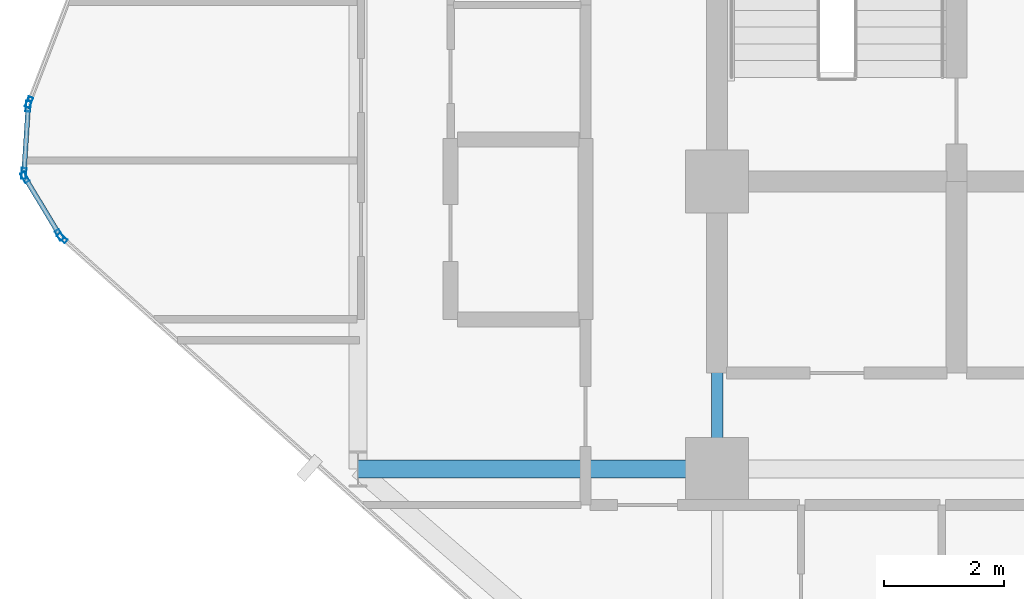
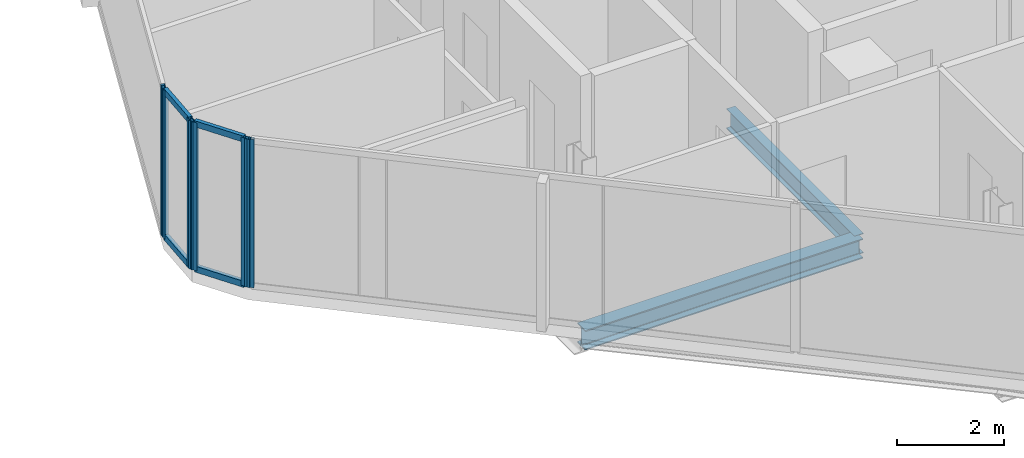
# One storey, part 6 of 29: 10 members, 2 beams, 4 elements without a shape of their own.
"""IFC4 building model written with IfcOpenShell, lengths in metres."""

from ifc_helpers import new_model, si_unit, direction, frame, origin, origin_2d, place, context, subcontext, project, spatial, hollow_rectangle, i_section, extrude, material, layer, layer_set, material_profile, profile_set, type_object, element, aggregate, save


model = new_model("IFC4")

# Units and contexts
model_context = context("Model", 3, precision=1e-05, world=origin(), true_north=direction((0.0, 1.0)))
body_context = subcontext(model_context, "Body", "Model", "MODEL_VIEW")
ifc_project = project(units=[si_unit("LENGTHUNIT", "METRE"), si_unit("AREAUNIT", "SQUARE_METRE"), si_unit("VOLUMEUNIT", "CUBIC_METRE"), si_unit("PLANEANGLEUNIT", "RADIAN"), si_unit("MASSUNIT", "GRAM", prefix="KILO")], contexts=[model_context])

# Site, building, storey
site_placement = place(None, origin())
site = spatial("IfcSite", under=ifc_project, at=site_placement, CompositionType="ELEMENT")
building_placement = place(site_placement, origin())
building = spatial("IfcBuilding", under=site, at=building_placement, Name="Keshet Zoharim Tower", CompositionType="ELEMENT")
storey_placement = place(building_placement, frame((0.0, 0.0, 94.60009765625)))
storey = spatial("IfcBuildingStorey", under=building, at=storey_placement, Name="L22", CompositionType="ELEMENT", Elevation=94.60009765625)

# Beams
ifc_material_1 = material(Name="Steel S355", Category="steel")
ifc_material_profile_1 = material_profile(ifc_material_1, i_section(OverallWidth=0.18994140625, OverallDepth=0.449951171875, WebThickness=0.009521484375, FlangeThickness=0.0146484375, FilletRadius=0.02099609375, at=origin_2d()), Name="IPE450")
ifc_profile_set_1 = profile_set([ifc_material_profile_1], Name="Steel S355")
beam_type_1 = type_object("IfcBeamType", Name="BM-PRI-IP450", PredefinedType="BEAM", material=ifc_profile_set_1)
beam_1_placement = place(storey_placement, frame((15.0, 17.89990234375, -0.5400390625), z_axis=(0.0, 1.0, 0.0), x_axis=(-1.0, 0.0, 0.0)))
element("IfcBeam", 1, at=beam_1_placement, inside=storey, type_object=beam_type_1, Name="L22 Primary Girder Y-003", PredefinedType="BEAM", context=body_context, shape_type="SweptSolid", body=[
    extrude(i_section(OverallWidth=0.18994140625, OverallDepth=0.449951171875, WebThickness=0.009521484375, FlangeThickness=0.0146484375, FilletRadius=0.02099609375, at=origin_2d()), origin(), (0.0, 0.0, 1.0), 4.800048828125),
])
ifc_material_profile_2 = material_profile(ifc_material_1, i_section(OverallWidth=0.300048828125, OverallDepth=0.449951171875, WebThickness=0.013916015625, FlangeThickness=0.02587890625, FilletRadius=0.027099609375, at=origin_2d()), Name="HEB450")
ifc_profile_set_2 = profile_set([ifc_material_profile_2], Name="Steel S355")
beam_type_2 = type_object("IfcBeamType", Name="BM-WEB-HB450", PredefinedType="BEAM", material=ifc_profile_set_2)
beam_2_placement = place(storey_placement, frame((9.0, 17.89990234375, -0.5400390625), z_axis=(1.0, 0.0, 0.0), x_axis=(0.0, 1.0, 0.0)))
element("IfcBeam", 2, at=beam_2_placement, inside=storey, type_object=beam_type_2, Name="L22 Primary Girder X-011", PredefinedType="BEAM", context=body_context, shape_type="SweptSolid", body=[
    extrude(i_section(OverallWidth=0.300048828125, OverallDepth=0.449951171875, WebThickness=0.013916015625, FlangeThickness=0.02587890625, FilletRadius=0.027099609375, at=origin_2d()), origin(), (0.0, 0.0, 1.0), 6.0),
])

# Curtain wall, member
ifc_material_2 = material(Name="Aluminium 6063-T6", Category="aluminium")
ifc_layer = layer(ifc_material_2, 0.159912109375)
ifc_layer_set = layer_set([ifc_layer], Name="Aluminium 6063-T6")
curtain_wall_type = type_object("IfcCurtainWallType", Name="CW-SYS-03", PredefinedType="NOTDEFINED", material=ifc_layer_set)
curtain_wall_1_placement = place(storey_placement, origin())
curtain_wall_1 = element("IfcCurtainWall", 3, at=curtain_wall_1_placement, inside=storey, type_object=curtain_wall_type, Name="L22 Unitised Curtain Wall 07 Part 2", PredefinedType="NOTDEFINED")
ifc_material_profile_3 = material_profile(ifc_material_2, hollow_rectangle(XDim=0.080078125, YDim=0.179931640625, WallThickness=0.00439453125, at=origin_2d()), Name="MUL-80x180")
ifc_profile_set_3 = profile_set([ifc_material_profile_3], Name="Aluminium 6063-T6")
member_type_1 = type_object("IfcMemberType", Name="CWM-M18", PredefinedType="MULLION", material=ifc_profile_set_3)
member_1_placement = place(storey_placement, frame((4.061279296875, 21.7568359375, 0.0), z_axis=(0.0, 0.0, 1.0), x_axis=(-0.664364135264, -0.747409055186, 0.0)))
member_1 = element("IfcMember", 4, at=member_1_placement, type_object=member_type_1, Name="CW-03 mullion 3", PredefinedType="MULLION", context=body_context, shape_type="SweptSolid", body=[
    extrude(hollow_rectangle(XDim=0.080078125, YDim=0.179931640625, WallThickness=0.00439453125, at=origin_2d()), origin(), (0.0, 0.0, 1.0), 3.385009765625),
])
aggregate(curtain_wall_1, [member_1])

# Curtain wall, members
curtain_wall_2_placement = place(storey_placement, origin())
curtain_wall_2 = element("IfcCurtainWall", 5, at=curtain_wall_2_placement, inside=storey, type_object=curtain_wall_type, Name="L22 Unitised Curtain Wall 08", PredefinedType="NOTDEFINED")
member_2_placement = place(storey_placement, frame((4.016845703125, 21.81005859375, 0.0), z_axis=(0.0, 0.0, 1.0), x_axis=(-0.856826433805, -0.515604947933, 0.0)))
member_2 = element("IfcMember", 6, at=member_2_placement, type_object=member_type_1, Name="CW-03 mullion 1", PredefinedType="MULLION", context=body_context, shape_type="SweptSolid", body=[
    extrude(hollow_rectangle(XDim=0.080078125, YDim=0.179931640625, WallThickness=0.00439453125, at=origin_2d()), origin(), (0.0, 0.0, 1.0), 3.385009765625),
])
member_3_placement = place(storey_placement, frame((3.43798828125, 22.77197265625, 0.0), z_axis=(0.0, 0.0, 1.0), x_axis=(-0.856826433805, -0.515604947933, 0.0)))
member_3 = element("IfcMember", 7, at=member_3_placement, type_object=member_type_1, Name="CW-03 mullion 2", PredefinedType="MULLION", context=body_context, shape_type="SweptSolid", body=[
    extrude(hollow_rectangle(XDim=0.080078125, YDim=0.179931640625, WallThickness=0.00439453125, at=origin_2d()), origin(), (0.0, 0.0, 1.0), 3.385009765625),
])

curtain_wall_3_placement = place(storey_placement, origin())
curtain_wall_3 = element("IfcCurtainWall", 8, at=curtain_wall_3_placement, inside=storey, type_object=curtain_wall_type, Name="L22 Unitised Curtain Wall 09", PredefinedType="NOTDEFINED")
member_4_placement = place(storey_placement, frame((3.42236328125, 22.8369140625, 0.0), z_axis=(0.0, 0.0, 1.0), x_axis=(-0.997916617186, 0.064516859374, 0.0)))
member_4 = element("IfcMember", 9, at=member_4_placement, type_object=member_type_1, Name="CW-03 mullion 1", PredefinedType="MULLION", context=body_context, shape_type="SweptSolid", body=[
    extrude(hollow_rectangle(XDim=0.080078125, YDim=0.179931640625, WallThickness=0.00439453125, at=origin_2d()), origin(), (0.0, 0.0, 1.0), 3.385009765625),
])
member_5_placement = place(storey_placement, frame((3.49462890625, 23.9580078125, 0.0), z_axis=(0.0, 0.0, 1.0), x_axis=(-0.997916617186, 0.064516859374, 0.0)))
member_5 = element("IfcMember", 10, at=member_5_placement, type_object=member_type_1, Name="CW-03 mullion 2", PredefinedType="MULLION", context=body_context, shape_type="SweptSolid", body=[
    extrude(hollow_rectangle(XDim=0.080078125, YDim=0.179931640625, WallThickness=0.00439453125, at=origin_2d()), origin(), (0.0, 0.0, 1.0), 3.385009765625),
])

# Curtain wall, member
curtain_wall_4_placement = place(storey_placement, origin())
curtain_wall_4 = element("IfcCurtainWall", 11, at=curtain_wall_4_placement, inside=storey, type_object=curtain_wall_type, Name="L22 Unitised Curtain Wall 10", PredefinedType="NOTDEFINED")
member_6_placement = place(storey_placement, frame((3.509521484375, 24.025634765625, 0.0), z_axis=(0.0, 0.0, 1.0), x_axis=(-0.933341404361, 0.358990003907, 0.0)))
member_6 = element("IfcMember", 12, at=member_6_placement, type_object=member_type_1, Name="CW-03 mullion 1", PredefinedType="MULLION", context=body_context, shape_type="SweptSolid", body=[
    extrude(hollow_rectangle(XDim=0.080078125, YDim=0.179931640625, WallThickness=0.00439453125, at=origin_2d()), origin(), (0.0, 0.0, 1.0), 3.385009765625),
])
aggregate(curtain_wall_4, [member_6])

# Member
ifc_material_profile_4 = material_profile(ifc_material_2, hollow_rectangle(XDim=0.080078125, YDim=0.139892578125, WallThickness=0.00390625, at=origin_2d()), Name="TRN-80x140")
ifc_profile_set_4 = profile_set([ifc_material_profile_4], Name="Aluminium 6063-T6")
member_type_2 = type_object("IfcMemberType", Name="CWT-T14", PredefinedType="USERDEFINED", material=ifc_profile_set_4)
member_7_placement = place(storey_placement, frame((3.9990234375, 21.840087890625, 0.034912109375), z_axis=(-0.515791194107, 0.856714330499, 0.0), x_axis=(-0.856714330499, -0.515791194107, 0.0)))
member_7 = element("IfcMember", 13, at=member_7_placement, type_object=member_type_2, Name="CW-03 transom 1.1", ObjectType="TRANSOM", PredefinedType="USERDEFINED", context=body_context, shape_type="SweptSolid", body=[
    extrude(hollow_rectangle(XDim=0.080078125, YDim=0.139892578125, WallThickness=0.00390625, at=origin_2d()), origin(), (0.0, 0.0, 1.0), 1.052734375),
])

member_8_placement = place(storey_placement, frame((3.9990234375, 21.840087890625, 3.349853515625), z_axis=(-0.515791194107, 0.856714330499, 0.0), x_axis=(-0.856714330499, -0.515791194107, 0.0)))
member_8 = element("IfcMember", 14, at=member_8_placement, type_object=member_type_2, Name="CW-03 transom 1.2", ObjectType="TRANSOM", PredefinedType="USERDEFINED", context=body_context, shape_type="SweptSolid", body=[
    extrude(hollow_rectangle(XDim=0.080078125, YDim=0.139892578125, WallThickness=0.00390625, at=origin_2d()), origin(), (0.0, 0.0, 1.0), 1.052734375),
])

aggregate(curtain_wall_2, [member_2, member_3, member_7, member_8])

member_9_placement = place(storey_placement, frame((3.424560546875, 22.871826171875, 0.034912109375), z_axis=(0.064426947155, 0.997922426083, 0.0), x_axis=(-0.997922426083, 0.064426947155, 0.0)))
member_9 = element("IfcMember", 15, at=member_9_placement, type_object=member_type_2, Name="CW-03 transom 1.1", ObjectType="TRANSOM", PredefinedType="USERDEFINED", context=body_context, shape_type="SweptSolid", body=[
    extrude(hollow_rectangle(XDim=0.080078125, YDim=0.139892578125, WallThickness=0.00390625, at=origin_2d()), origin(), (0.0, 0.0, 1.0), 1.053466796875),
])

member_10_placement = place(storey_placement, frame((3.424560546875, 22.871826171875, 3.349853515625), z_axis=(0.064426947155, 0.997922426083, 0.0), x_axis=(-0.997922426083, 0.064426947155, 0.0)))
member_10 = element("IfcMember", 16, at=member_10_placement, type_object=member_type_2, Name="CW-03 transom 1.2", ObjectType="TRANSOM", PredefinedType="USERDEFINED", context=body_context, shape_type="SweptSolid", body=[
    extrude(hollow_rectangle(XDim=0.080078125, YDim=0.139892578125, WallThickness=0.00390625, at=origin_2d()), origin(), (0.0, 0.0, 1.0), 1.053466796875),
])

aggregate(curtain_wall_3, [member_4, member_5, member_9, member_10])

save(model, "model.ifc")
